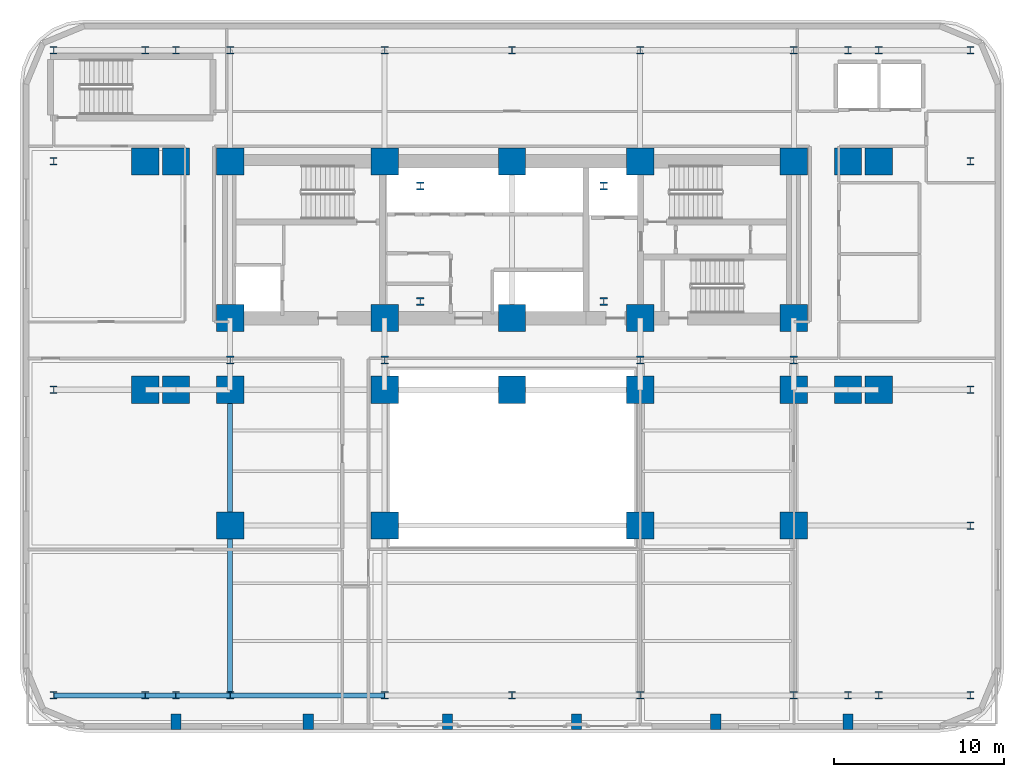
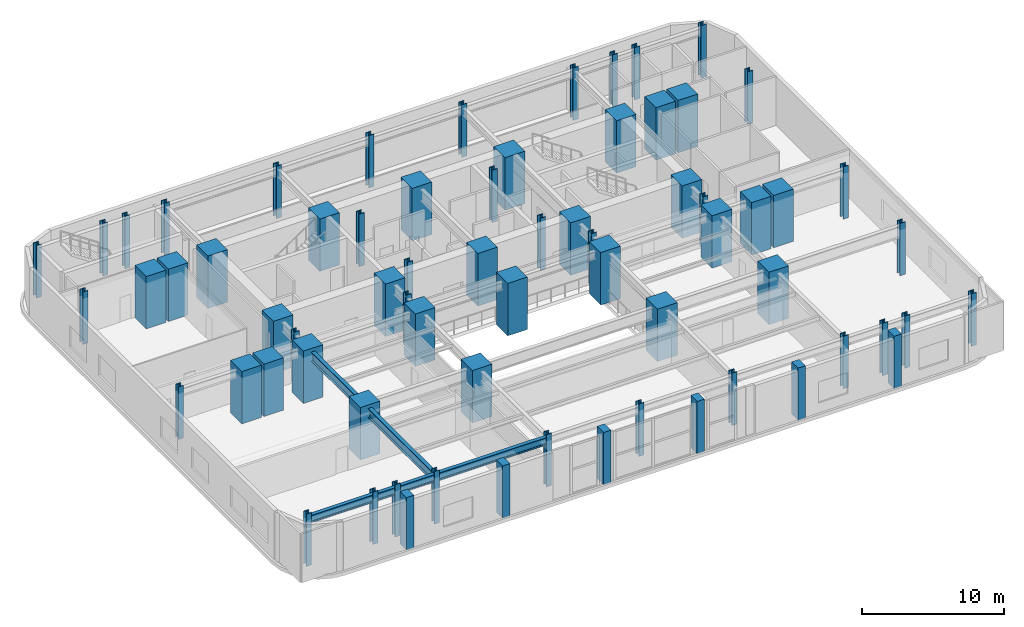
# One storey, part 1 of 14: 68 columns, 6 beams.
"""IFC4 building model written with IfcOpenShell, lengths in metres."""

from ifc_helpers import new_model, si_unit, direction, frame, origin, origin_2d, place, context, subcontext, project, spatial, rectangle, i_section, extrude, material, material_profile, profile_set, type_object, element, save


model = new_model("IFC4")

# Units and contexts
model_context = context("Model", 3, precision=1e-05, world=origin(), true_north=direction((0.0, 1.0)))
body_context = subcontext(model_context, "Body", "Model", "MODEL_VIEW")
ifc_project = project(units=[si_unit("LENGTHUNIT", "METRE"), si_unit("AREAUNIT", "SQUARE_METRE"), si_unit("VOLUMEUNIT", "CUBIC_METRE"), si_unit("PLANEANGLEUNIT", "RADIAN"), si_unit("MASSUNIT", "GRAM", prefix="KILO")], contexts=[model_context])

# Site, building, storey
site_placement = place(None, origin())
site = spatial("IfcSite", under=ifc_project, at=site_placement, CompositionType="ELEMENT")
building_placement = place(site_placement, origin())
building = spatial("IfcBuilding", under=site, at=building_placement, Name="Zarnavel Station Tower", CompositionType="ELEMENT")
storey_placement = place(building_placement, frame((0.0, 0.0, 14.89990234375)))
storey = spatial("IfcBuildingStorey", under=building, at=storey_placement, Name="L04", CompositionType="ELEMENT", Elevation=14.89990234375)

# Columns
ifc_material_1 = material(Name="Steel S460M", Category="steel")
ifc_material_profile_1 = material_profile(ifc_material_1, i_section(OverallWidth=0.424072265625, OverallDepth=0.449951171875, WebThickness=0.041015625, FlangeThickness=0.06494140625, FilletRadius=0.014892578125, at=origin_2d()), Name="HD400x509")
ifc_profile_set_1 = profile_set([ifc_material_profile_1], Name="Steel S460M")
column_type_1 = type_object("IfcColumnType", Name="EC_HD509", PredefinedType="COLUMN", material=ifc_profile_set_1)
for number, where, z_axis, x_axis, name in (
    (1, (1.800048828125, 5.60009765625, 0.0), (0.0, 0.0, 1.0), (1.0, 0.0, 0.0), "L04 Perimeter Column 1-1"),
    (2, (1.800048828125, 23.60009765625, 0.0), (0.0, 0.0, 1.0), (1.0, 0.0, 0.0), "L04 Perimeter Column 1-3"),
    (3, (1.800048828125, 37.050048828125, 0.0), (0.0, 0.0, 1.0), (1.0, 0.0, 0.0), "L04 Perimeter Column 1-4"),
    (4, (1.800048828125, 43.60009765625, 0.0), (0.0, 0.0, 1.0), (1.0, 0.0, 0.0), "L04 Perimeter Column 1-5"),
    (5, (7.199951171875, 5.60009765625, 0.0), (0.0, 0.0, 1.0), (1.0, 0.0, 0.0), "L04 Perimeter Column 2-1"),
    (6, (7.199951171875, 43.60009765625, 0.0), (0.0, 0.0, 1.0), (1.0, 0.0, 0.0), "L04 Perimeter Column 2-5"),
    (7, (9.0, 5.60009765625, 0.0), (0.0, 0.0, 1.0), (1.0, 0.0, 0.0), "L04 Perimeter Column 3-1"),
    (8, (9.0, 43.60009765625, 0.0), (0.0, 0.0, 1.0), (1.0, 0.0, 0.0), "L04 Perimeter Column 3-5"),
    (9, (12.199951171875, 5.60009765625, 0.0), (0.0, 0.0, 1.0), (1.0, 0.0, 0.0), "L04 Perimeter Column 4-1"),
    (10, (12.199951171875, 43.60009765625, 0.0), (0.0, 0.0, 1.0), (1.0, 0.0, 0.0), "L04 Perimeter Column 4-5"),
    (11, (21.300048828125, 5.60009765625, 0.0), (0.0, 0.0, 1.0), (1.0, 0.0, 0.0), "L04 Perimeter Column 5-1"),
    (12, (21.300048828125, 43.60009765625, 0.0), (0.0, 0.0, 1.0), (1.0, 0.0, 0.0), "L04 Perimeter Column 5-5"),
    (13, (28.800048828125, 5.60009765625, 0.0), (0.0, 0.0, 1.0), (1.0, 0.0, 0.0), "L04 Perimeter Column 6-1"),
    (14, (28.800048828125, 43.60009765625, 0.0), (0.0, 0.0, 1.0), (1.0, 0.0, 0.0), "L04 Perimeter Column 6-5"),
    (15, (36.35009765625, 5.60009765625, 0.0), (0.0, 0.0, 1.0), (1.0, 0.0, 0.0), "L04 Perimeter Column 7-1"),
    (16, (36.35009765625, 43.60009765625, 0.0), (0.0, 0.0, 1.0), (1.0, 0.0, 0.0), "L04 Perimeter Column 7-5"),
    (17, (45.39990234375, 5.60009765625, 0.0), (0.0, 0.0, 1.0), (1.0, 0.0, 0.0), "L04 Perimeter Column 8-1"),
    (18, (45.39990234375, 43.60009765625, 0.0), (0.0, 0.0, 1.0), (1.0, 0.0, 0.0), "L04 Perimeter Column 8-5"),
    (19, (48.60009765625, 5.60009765625, 0.0), (0.0, 0.0, 1.0), (1.0, 0.0, 0.0), "L04 Perimeter Column 9-1"),
    (20, (48.60009765625, 43.60009765625, 0.0), (0.0, 0.0, 1.0), (1.0, 0.0, 0.0), "L04 Perimeter Column 9-5"),
    (21, (50.39990234375, 5.60009765625, 0.0), (0.0, 0.0, 1.0), (1.0, 0.0, 0.0), "L04 Perimeter Column 10-1"),
    (22, (50.39990234375, 43.60009765625, 0.0), (0.0, 0.0, 1.0), (1.0, 0.0, 0.0), "L04 Perimeter Column 10-5"),
    (23, (55.800048828125, 5.60009765625, 0.0), (0.0, 0.0, 1.0), (1.0, 0.0, 0.0), "L04 Perimeter Column 11-1"),
    (24, (55.800048828125, 15.60009765625, 0.0), (0.0, 0.0, 1.0), (1.0, 0.0, 0.0), "L04 Perimeter Column 11-2"),
    (25, (55.800048828125, 23.60009765625, 0.0), (0.0, 0.0, 1.0), (1.0, 0.0, 0.0), "L04 Perimeter Column 11-3"),
    (26, (55.800048828125, 37.050048828125, 0.0), (0.0, 0.0, 1.0), (1.0, 0.0, 0.0), "L04 Perimeter Column 11-4"),
    (27, (55.800048828125, 43.60009765625, 0.0), (0.0, 0.0, 1.0), (1.0, 0.0, 0.0), "L04 Perimeter Column 11-5"),
):
    element("IfcColumn", number, at=place(storey_placement, frame(where, z_axis=z_axis, x_axis=x_axis)), inside=storey, type_object=column_type_1, Name=name, PredefinedType="COLUMN", context=body_context, shape_type="SweptSolid", body=[
        extrude(i_section(OverallWidth=0.424072265625, OverallDepth=0.449951171875, WebThickness=0.041015625, FlangeThickness=0.06494140625, FilletRadius=0.014892578125, at=origin_2d()), origin(), (0.0, 0.0, 1.0), 4.5),
    ])
ifc_material_2 = material(Name="Steel S460M", Category="steel")
ifc_material_profile_2 = material_profile(ifc_material_2, i_section(OverallWidth=0.427978515625, OverallDepth=0.465087890625, WebThickness=0.044921875, FlangeThickness=0.072998046875, FilletRadius=0.014892578125, at=origin_2d()), Name="HD400x592")
ifc_profile_set_2 = profile_set([ifc_material_profile_2], Name="Steel S460M")
column_type_2 = type_object("IfcColumnType", Name="IC_HD592", PredefinedType="COLUMN", material=ifc_profile_set_2)
for number, where, z_axis, x_axis, name in (
    (28, (23.39990234375, 28.800048828125, 0.0), (0.0, 0.0, 1.0), (1.0, 0.0, 0.0), "L04 Mast Spine Column 1"),
    (29, (34.199951171875, 28.800048828125, 0.0), (0.0, 0.0, 1.0), (1.0, 0.0, 0.0), "L04 Mast Spine Column 2"),
    (30, (34.199951171875, 35.60009765625, 0.0), (0.0, 0.0, 1.0), (1.0, 0.0, 0.0), "L04 Mast Spine Column 3"),
    (31, (23.39990234375, 35.60009765625, 0.0), (0.0, 0.0, 1.0), (1.0, 0.0, 0.0), "L04 Mast Spine Column 4"),
    (32, (12.199951171875, 25.35009765625, 0.0), (0.0, 0.0, 1.0), (1.0, 0.0, 0.0), "L04 Inner Spine Column 1"),
    (33, (21.300048828125, 25.35009765625, 0.0), (0.0, 0.0, 1.0), (1.0, 0.0, 0.0), "L04 Inner Spine Column 2"),
    (34, (36.35009765625, 25.35009765625, 0.0), (0.0, 0.0, 1.0), (1.0, 0.0, 0.0), "L04 Inner Spine Column 4"),
    (35, (45.39990234375, 25.35009765625, 0.0), (0.0, 0.0, 1.0), (1.0, 0.0, 0.0), "L04 Inner Spine Column 5"),
):
    element("IfcColumn", number, at=place(storey_placement, frame(where, z_axis=z_axis, x_axis=x_axis)), inside=storey, type_object=column_type_2, Name=name, PredefinedType="COLUMN", context=body_context, shape_type="SweptSolid", body=[
        extrude(i_section(OverallWidth=0.427978515625, OverallDepth=0.465087890625, WebThickness=0.044921875, FlangeThickness=0.072998046875, FilletRadius=0.014892578125, at=origin_2d()), origin(), (0.0, 0.0, 1.0), 4.5),
    ])
ifc_material_3 = material(Name="Concrete C60/75", Category="concrete")
ifc_material_profile_3 = material_profile(ifc_material_3, rectangle(XDim=1.60009765625, YDim=1.60009765625, at=origin_2d()), Name="RC1600x1600")
ifc_profile_set_3 = profile_set([ifc_material_profile_3], Name="Concrete C60/75")
column_type_3 = type_object("IfcColumnType", Name="IC_RC1600", PredefinedType="COLUMN", material=ifc_profile_set_3)
for number, where, z_axis, x_axis, name in (
    (36, (12.199951171875, 27.820068359375, 0.0), (0.0, 0.0, 1.0), (1.0, 0.0, 0.0), "L04 Core Spine Column 1-1"),
    (37, (12.199951171875, 37.050048828125, 0.0), (0.0, 0.0, 1.0), (1.0, 0.0, 0.0), "L04 Core Spine Column 1-2"),
    (38, (21.300048828125, 27.820068359375, 0.0), (0.0, 0.0, 1.0), (1.0, 0.0, 0.0), "L04 Core Spine Column 2-1"),
    (39, (21.300048828125, 37.050048828125, 0.0), (0.0, 0.0, 1.0), (1.0, 0.0, 0.0), "L04 Core Spine Column 2-2"),
    (40, (28.800048828125, 27.820068359375, 0.0), (0.0, 0.0, 1.0), (1.0, 0.0, 0.0), "L04 Core Spine Column 3-1"),
    (41, (28.800048828125, 37.050048828125, 0.0), (0.0, 0.0, 1.0), (1.0, 0.0, 0.0), "L04 Core Spine Column 3-2"),
    (42, (36.35009765625, 27.820068359375, 0.0), (0.0, 0.0, 1.0), (1.0, 0.0, 0.0), "L04 Core Spine Column 4-1"),
    (43, (36.35009765625, 37.050048828125, 0.0), (0.0, 0.0, 1.0), (1.0, 0.0, 0.0), "L04 Core Spine Column 4-2"),
    (44, (45.39990234375, 27.820068359375, 0.0), (0.0, 0.0, 1.0), (1.0, 0.0, 0.0), "L04 Core Spine Column 5-1"),
    (45, (45.39990234375, 37.050048828125, 0.0), (0.0, 0.0, 1.0), (1.0, 0.0, 0.0), "L04 Core Spine Column 5-2"),
    (46, (7.199951171875, 23.60009765625, 0.0), (0.0, 0.0, 1.0), (1.0, 0.0, 0.0), "L04 Podium Column 2-3"),
    (47, (7.199951171875, 37.050048828125, 0.0), (0.0, 0.0, 1.0), (1.0, 0.0, 0.0), "L04 Podium Column 2-4"),
    (48, (9.0, 23.60009765625, 0.0), (0.0, 0.0, 1.0), (1.0, 0.0, 0.0), "L04 Podium Column 3-3"),
    (49, (9.0, 37.050048828125, 0.0), (0.0, 0.0, 1.0), (1.0, 0.0, 0.0), "L04 Podium Column 3-4"),
    (50, (12.199951171875, 15.60009765625, 0.0), (0.0, 0.0, 1.0), (1.0, 0.0, 0.0), "L04 Podium Column 4-2"),
    (51, (12.199951171875, 23.60009765625, 0.0), (0.0, 0.0, 1.0), (1.0, 0.0, 0.0), "L04 Podium Column 4-3"),
    (52, (21.300048828125, 15.60009765625, 0.0), (0.0, 0.0, 1.0), (1.0, 0.0, 0.0), "L04 Podium Column 5-2"),
    (53, (21.300048828125, 23.60009765625, 0.0), (0.0, 0.0, 1.0), (1.0, 0.0, 0.0), "L04 Podium Column 5-3"),
    (54, (28.800048828125, 23.60009765625, 0.0), (0.0, 0.0, 1.0), (1.0, 0.0, 0.0), "L04 Podium Column 6-3"),
    (55, (36.35009765625, 15.60009765625, 0.0), (0.0, 0.0, 1.0), (1.0, 0.0, 0.0), "L04 Podium Column 7-2"),
    (56, (36.35009765625, 23.60009765625, 0.0), (0.0, 0.0, 1.0), (1.0, 0.0, 0.0), "L04 Podium Column 7-3"),
    (57, (45.39990234375, 15.60009765625, 0.0), (0.0, 0.0, 1.0), (1.0, 0.0, 0.0), "L04 Podium Column 8-2"),
    (58, (45.39990234375, 23.60009765625, 0.0), (0.0, 0.0, 1.0), (1.0, 0.0, 0.0), "L04 Podium Column 8-3"),
    (59, (48.60009765625, 23.60009765625, 0.0), (0.0, 0.0, 1.0), (1.0, 0.0, 0.0), "L04 Podium Column 9-3"),
    (60, (48.60009765625, 37.050048828125, 0.0), (0.0, 0.0, 1.0), (1.0, 0.0, 0.0), "L04 Podium Column 9-4"),
    (61, (50.39990234375, 23.60009765625, 0.0), (0.0, 0.0, 1.0), (1.0, 0.0, 0.0), "L04 Podium Column 10-3"),
    (62, (50.39990234375, 37.050048828125, 0.0), (0.0, 0.0, 1.0), (1.0, 0.0, 0.0), "L04 Podium Column 10-4"),
):
    element("IfcColumn", number, at=place(storey_placement, frame(where, z_axis=z_axis, x_axis=x_axis)), inside=storey, type_object=column_type_3, Name=name, PredefinedType="COLUMN", context=body_context, shape_type="SweptSolid", body=[
        extrude(rectangle(XDim=1.60009765625, YDim=1.60009765625, at=origin_2d()), origin(), (0.0, 0.0, 1.0), 4.5),
    ])
ifc_material_4 = material(Name="Precast concrete C45/55", Category="concrete")
ifc_material_profile_4 = material_profile(ifc_material_4, rectangle(XDim=0.60009765625, YDim=0.89990234375, at=origin_2d()), Name="RC600x900")
ifc_profile_set_4 = profile_set([ifc_material_profile_4], Name="Precast concrete C45/55")
column_type_4 = type_object("IfcColumnType", Name="PL_BASALT", PredefinedType="PILASTER", material=ifc_profile_set_4)
for number, where, z_axis, x_axis, name in (
    (63, (9.0, 4.050048828125, 0.0), (0.0, 0.0, 1.0), (1.0, 0.0, 0.0), "L04 Basalt Facade Pilaster S1"),
    (64, (16.800048828125, 4.050048828125, 0.0), (0.0, 0.0, 1.0), (1.0, 0.0, 0.0), "L04 Basalt Facade Pilaster S2"),
    (65, (25.0, 4.050048828125, 0.0), (0.0, 0.0, 1.0), (1.0, 0.0, 0.0), "L04 Basalt Facade Pilaster S3"),
    (66, (32.60009765625, 4.050048828125, 0.0), (0.0, 0.0, 1.0), (1.0, 0.0, 0.0), "L04 Basalt Facade Pilaster S4"),
    (67, (40.800048828125, 4.050048828125, 0.0), (0.0, 0.0, 1.0), (1.0, 0.0, 0.0), "L04 Basalt Facade Pilaster S5"),
    (68, (48.60009765625, 4.050048828125, 0.0), (0.0, 0.0, 1.0), (1.0, 0.0, 0.0), "L04 Basalt Facade Pilaster S6"),
):
    element("IfcColumn", number, at=place(storey_placement, frame(where, z_axis=z_axis, x_axis=x_axis)), inside=storey, type_object=column_type_4, Name=name, PredefinedType="PILASTER", context=body_context, shape_type="SweptSolid", body=[
        extrude(rectangle(XDim=0.60009765625, YDim=0.89990234375, at=origin_2d()), origin(), (0.0, 0.0, 1.0), 4.5),
    ])

# Beams
ifc_material_5 = material(Name="Steel S355J2", Category="steel")
ifc_material_profile_5 = material_profile(ifc_material_5, i_section(OverallWidth=0.300048828125, OverallDepth=0.64990234375, WebThickness=0.01611328125, FlangeThickness=0.031005859375, FilletRadius=0.027099609375, at=origin_2d()), Name="HEB650")
ifc_profile_set_5 = profile_set([ifc_material_profile_5], Name="Steel S355J2")
beam_type_1 = type_object("IfcBeamType", Name="FG_HEB650", PredefinedType="USERDEFINED", material=ifc_profile_set_5)
beam_1_placement = place(storey_placement, frame((1.800048828125, 5.60009765625, 3.875), z_axis=(1.0, 0.0, 0.0), x_axis=(0.0, 1.0, 0.0)))
element("IfcBeam", 69, at=beam_1_placement, inside=storey, type_object=beam_type_1, Name="L04 EW Frame Girder 1-1", ObjectType="GIRDER", PredefinedType="USERDEFINED", context=body_context, shape_type="SweptSolid", body=[
    extrude(i_section(OverallWidth=0.300048828125, OverallDepth=0.64990234375, WebThickness=0.01611328125, FlangeThickness=0.031005859375, FilletRadius=0.027099609375, at=origin_2d()), origin(), (0.0, 0.0, 1.0), 5.39990234375),
])
beam_2_placement = place(storey_placement, frame((7.199951171875, 5.60009765625, 3.875), z_axis=(1.0, 0.0, 0.0), x_axis=(0.0, 1.0, 0.0)))
element("IfcBeam", 70, at=beam_2_placement, inside=storey, type_object=beam_type_1, Name="L04 EW Frame Girder 1-2", ObjectType="GIRDER", PredefinedType="USERDEFINED", context=body_context, shape_type="SweptSolid", body=[
    extrude(i_section(OverallWidth=0.300048828125, OverallDepth=0.64990234375, WebThickness=0.01611328125, FlangeThickness=0.031005859375, FilletRadius=0.027099609375, at=origin_2d()), origin(), (0.0, 0.0, 1.0), 1.800048828125),
])
beam_3_placement = place(storey_placement, frame((9.0, 5.60009765625, 3.875), z_axis=(1.0, 0.0, 0.0), x_axis=(0.0, 1.0, 0.0)))
element("IfcBeam", 71, at=beam_3_placement, inside=storey, type_object=beam_type_1, Name="L04 EW Frame Girder 1-3", ObjectType="GIRDER", PredefinedType="USERDEFINED", context=body_context, shape_type="SweptSolid", body=[
    extrude(i_section(OverallWidth=0.300048828125, OverallDepth=0.64990234375, WebThickness=0.01611328125, FlangeThickness=0.031005859375, FilletRadius=0.027099609375, at=origin_2d()), origin(), (0.0, 0.0, 1.0), 3.199951171875),
])
beam_4_placement = place(storey_placement, frame((12.199951171875, 5.60009765625, 3.875), z_axis=(1.0, 0.0, 0.0), x_axis=(0.0, 1.0, 0.0)))
element("IfcBeam", 72, at=beam_4_placement, inside=storey, type_object=beam_type_1, Name="L04 EW Frame Girder 1-4", ObjectType="GIRDER", PredefinedType="USERDEFINED", context=body_context, shape_type="SweptSolid", body=[
    extrude(i_section(OverallWidth=0.300048828125, OverallDepth=0.64990234375, WebThickness=0.01611328125, FlangeThickness=0.031005859375, FilletRadius=0.027099609375, at=origin_2d()), origin(), (0.0, 0.0, 1.0), 9.10009765625),
])
ifc_material_6 = material(Name="Steel S460M", Category="steel")
ifc_material_profile_6 = material_profile(ifc_material_6, i_section(OverallWidth=0.302978515625, OverallDepth=0.81396484375, WebThickness=0.02099609375, FlangeThickness=0.0400390625, FilletRadius=0.030029296875, at=origin_2d()), Name="HEM800")
ifc_profile_set_6 = profile_set([ifc_material_profile_6], Name="Steel S460M")
beam_type_2 = type_object("IfcBeamType", Name="FG_HEM800", PredefinedType="USERDEFINED", material=ifc_profile_set_6)
beam_5_placement = place(storey_placement, frame((12.199951171875, 5.60009765625, 3.793212890625), z_axis=(0.0, 1.0, 0.0), x_axis=(-1.0, 0.0, 0.0)))
element("IfcBeam", 73, at=beam_5_placement, inside=storey, type_object=beam_type_2, Name="L04 NS Girder South 1", ObjectType="GIRDER", PredefinedType="USERDEFINED", context=body_context, shape_type="SweptSolid", body=[
    extrude(i_section(OverallWidth=0.302978515625, OverallDepth=0.81396484375, WebThickness=0.02099609375, FlangeThickness=0.0400390625, FilletRadius=0.030029296875, at=origin_2d()), origin(), (0.0, 0.0, 1.0), 10.0),
])
beam_6_placement = place(storey_placement, frame((12.199951171875, 15.60009765625, 3.793212890625), z_axis=(0.0, 1.0, 0.0), x_axis=(-1.0, 0.0, 0.0)))
element("IfcBeam", 74, at=beam_6_placement, inside=storey, type_object=beam_type_2, Name="L04 NS Girder Mid 1", ObjectType="GIRDER", PredefinedType="USERDEFINED", context=body_context, shape_type="SweptSolid", body=[
    extrude(i_section(OverallWidth=0.302978515625, OverallDepth=0.81396484375, WebThickness=0.02099609375, FlangeThickness=0.0400390625, FilletRadius=0.030029296875, at=origin_2d()), origin(), (0.0, 0.0, 1.0), 8.0),
])

save(model, "model.ifc")
